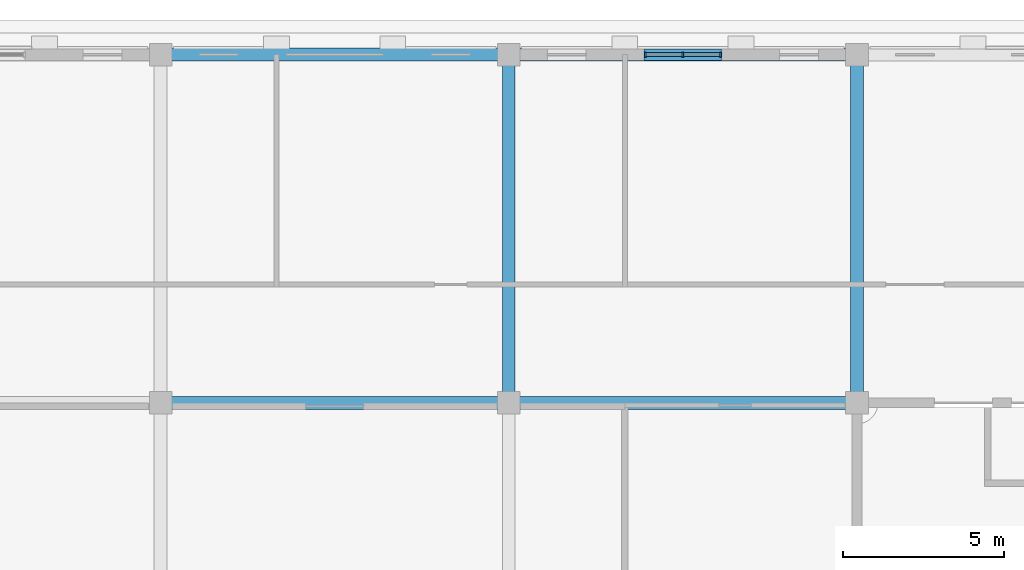
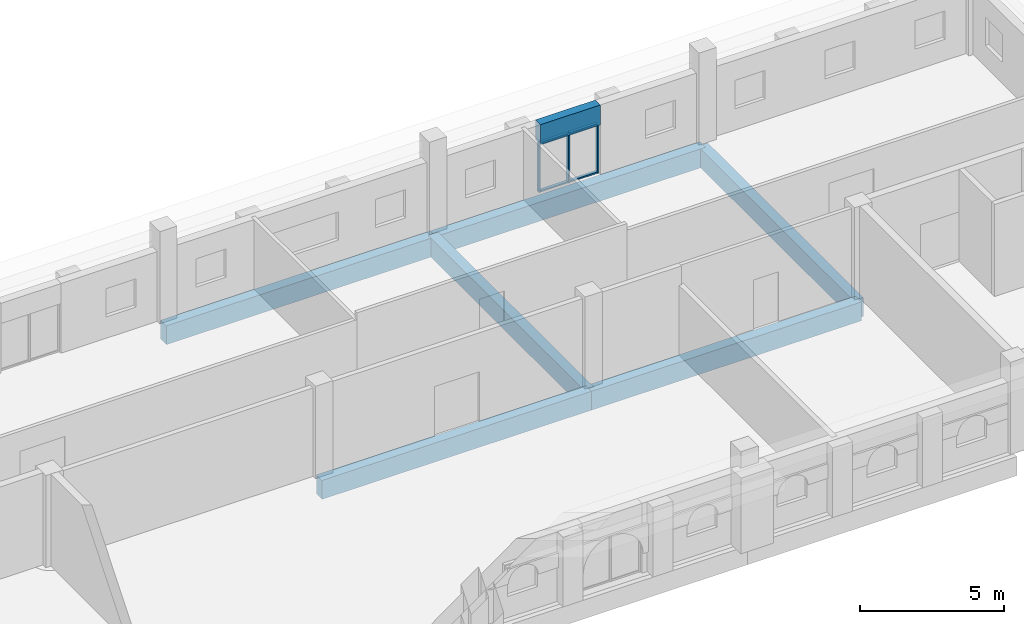
# One storey, part 4 of 10: 7 beams, 7 members, 1 element without a shape of its own.
"""IFC4 building model written with IfcOpenShell, lengths in metres."""

from ifc_helpers import new_model, si_unit, direction, frame, origin, origin_2d, place, context, subcontext, project, spatial, rectangle, extrude, material, layer, layer_set, material_profile, profile_set, type_object, element, aggregate, save


model = new_model("IFC4")

# Units and contexts
model_context = context("Model", 3, precision=1e-05, world=origin(), true_north=direction((0.0, 1.0)))
body_context = subcontext(model_context, "Body", "Model", "MODEL_VIEW")
ifc_project = project(units=[si_unit("LENGTHUNIT", "METRE"), si_unit("AREAUNIT", "SQUARE_METRE"), si_unit("VOLUMEUNIT", "CUBIC_METRE"), si_unit("PLANEANGLEUNIT", "RADIAN"), si_unit("MASSUNIT", "GRAM", prefix="KILO")], contexts=[model_context])

# Site, building, storey
site_placement = place(None, origin())
site = spatial("IfcSite", under=ifc_project, at=site_placement, CompositionType="ELEMENT")
building_placement = place(site_placement, origin())
building = spatial("IfcBuilding", under=site, at=building_placement, Name="Magnolia Steps Interchange", CompositionType="ELEMENT")
storey_placement = place(building_placement, frame((0.0, 0.0, 24.300048828125)))
storey = spatial("IfcBuildingStorey", under=building, at=storey_placement, Name="L06", CompositionType="ELEMENT", Elevation=24.300048828125)

# Curtain wall, members
ifc_material_1 = material(Name="Powder-coated aluminium and glass", Category="aluminium")
ifc_layer = layer(ifc_material_1, 0.199951171875)
ifc_layer_set = layer_set([ifc_layer], Name="Glazed central bay curtain wall")
curtain_wall_type = type_object("IfcCurtainWallType", Name="Glazed central bay curtain wall", PredefinedType="NOTDEFINED", material=ifc_layer_set)
curtain_wall_placement = place(storey_placement, origin())
curtain_wall = element("IfcCurtainWall", 1, at=curtain_wall_placement, inside=storey, type_object=curtain_wall_type, Name="Operations building north wall L06 glazing 4", PredefinedType="NOTDEFINED")
ifc_material_2 = material(Name="White powder-coated aluminium", Category="aluminium")
ifc_material_profile_1 = material_profile(ifc_material_2, rectangle(XDim=0.06005859375, YDim=0.14990234375, at=origin_2d()), Name="Aluminium mullion 60 x 150")
ifc_profile_set_1 = profile_set([ifc_material_profile_1], Name="White powder-coated aluminium")
member_type_1 = type_object("IfcMemberType", Name="Aluminium mullion 60 x 150", PredefinedType="MULLION", material=ifc_profile_set_1)
member_1_placement = place(storey_placement, frame((100.6298828125, 118.0, 0.0), z_axis=(0.0, 0.0, 1.0), x_axis=(1.0, 0.0, 0.0)))
member_1 = element("IfcMember", 2, at=member_1_placement, type_object=member_type_1, Name="CW2 mullion 1", PredefinedType="MULLION", context=body_context, shape_type="SweptSolid", body=[
    extrude(rectangle(XDim=0.06005859375, YDim=0.14990234375, at=origin_2d()), origin(), (0.0, 0.0, 1.0), 2.099853515625),
])
member_2_placement = place(storey_placement, frame((101.800048828125, 118.0, 0.0), z_axis=(0.0, 0.0, 1.0), x_axis=(1.0, 0.0, 0.0)))
member_2 = element("IfcMember", 3, at=member_2_placement, type_object=member_type_1, Name="CW2 mullion 2", PredefinedType="MULLION", context=body_context, shape_type="SweptSolid", body=[
    extrude(rectangle(XDim=0.06005859375, YDim=0.14990234375, at=origin_2d()), origin(), (0.0, 0.0, 1.0), 2.099853515625),
])
member_3_placement = place(storey_placement, frame((102.969970703125, 118.0, 0.0), z_axis=(0.0, 0.0, 1.0), x_axis=(1.0, 0.0, 0.0)))
member_3 = element("IfcMember", 4, at=member_3_placement, type_object=member_type_1, Name="CW2 mullion 3", PredefinedType="MULLION", context=body_context, shape_type="SweptSolid", body=[
    extrude(rectangle(XDim=0.06005859375, YDim=0.14990234375, at=origin_2d()), origin(), (0.0, 0.0, 1.0), 2.099853515625),
])
ifc_material_3 = material(Name="White powder-coated aluminium", Category="aluminium")
ifc_material_profile_2 = material_profile(ifc_material_3, rectangle(XDim=0.06005859375, YDim=0.1201171875, at=origin_2d()), Name="Aluminium transom 60 x 120")
ifc_profile_set_2 = profile_set([ifc_material_profile_2], Name="White powder-coated aluminium")
member_type_2 = type_object("IfcMemberType", Name="Aluminium transom 60 x 120", PredefinedType="USERDEFINED", material=ifc_profile_set_2)
member_4_placement = place(storey_placement, frame((100.659912109375, 118.0, 0.030029296875), z_axis=(1.0, 0.0, 0.0), x_axis=(0.0, 0.0, 1.0)))
member_4 = element("IfcMember", 5, at=member_4_placement, type_object=member_type_2, Name="CW2 transom 1.1", ObjectType="TRANSOM", PredefinedType="USERDEFINED", context=body_context, shape_type="SweptSolid", body=[
    extrude(rectangle(XDim=0.06005859375, YDim=0.1201171875, at=origin_2d()), origin(), (0.0, 0.0, 1.0), 1.110107421875),
])
member_5_placement = place(storey_placement, frame((100.659912109375, 118.0, 2.070068359375), z_axis=(1.0, 0.0, 0.0), x_axis=(0.0, 0.0, 1.0)))
member_5 = element("IfcMember", 6, at=member_5_placement, type_object=member_type_2, Name="CW2 transom 1.2", ObjectType="TRANSOM", PredefinedType="USERDEFINED", context=body_context, shape_type="SweptSolid", body=[
    extrude(rectangle(XDim=0.06005859375, YDim=0.1201171875, at=origin_2d()), origin(), (0.0, 0.0, 1.0), 1.110107421875),
])
member_6_placement = place(storey_placement, frame((101.830078125, 118.0, 0.030029296875), z_axis=(1.0, 0.0, 0.0), x_axis=(0.0, 0.0, 1.0)))
member_6 = element("IfcMember", 7, at=member_6_placement, type_object=member_type_2, Name="CW2 transom 2.1", ObjectType="TRANSOM", PredefinedType="USERDEFINED", context=body_context, shape_type="SweptSolid", body=[
    extrude(rectangle(XDim=0.06005859375, YDim=0.1201171875, at=origin_2d()), origin(), (0.0, 0.0, 1.0), 1.10986328125),
])
member_7_placement = place(storey_placement, frame((101.830078125, 118.0, 2.070068359375), z_axis=(1.0, 0.0, 0.0), x_axis=(0.0, 0.0, 1.0)))
member_7 = element("IfcMember", 8, at=member_7_placement, type_object=member_type_2, Name="CW2 transom 2.2", ObjectType="TRANSOM", PredefinedType="USERDEFINED", context=body_context, shape_type="SweptSolid", body=[
    extrude(rectangle(XDim=0.06005859375, YDim=0.1201171875, at=origin_2d()), origin(), (0.0, 0.0, 1.0), 1.10986328125),
])
aggregate(curtain_wall, [member_1, member_2, member_3, member_4, member_5, member_6, member_7])

# Beams
ifc_material_4 = material(Name="Concrete C40", Category="concrete")
ifc_material_profile_3 = material_profile(ifc_material_4, rectangle(XDim=0.35009765625, YDim=0.85009765625, at=origin_2d()), Name="RC350x850")
ifc_profile_set_3 = profile_set([ifc_material_profile_3], Name="Concrete C40")
beam_type_1 = type_object("IfcBeamType", Name="Lime render lintel 350x850", PredefinedType="LINTEL", material=ifc_profile_set_3)
beam_1_placement = place(storey_placement, frame((100.60009765625, 118.0, 2.52490234375), z_axis=(1.0, 0.0, 0.0), x_axis=(0.0, 1.0, 0.0)))
element("IfcBeam", 9, at=beam_1_placement, inside=storey, type_object=beam_type_1, Name="Operations building north wall L06 lintel 4", PredefinedType="LINTEL", context=body_context, shape_type="SweptSolid", body=[
    extrude(rectangle(XDim=0.35009765625, YDim=0.85009765625, at=origin_2d()), origin(), (0.0, 0.0, 1.0), 2.39990234375),
])
ifc_material_5 = material(Name="Concrete C40", Category="concrete")
ifc_material_profile_4 = material_profile(ifc_material_5, rectangle(XDim=0.39990234375, YDim=0.800048828125, at=origin_2d()), Name="RC400x800")
ifc_profile_set_4 = profile_set([ifc_material_profile_4], Name="Concrete C40")
beam_type_2 = type_object("IfcBeamType", Name="RC beam 400x800", PredefinedType="BEAM", material=ifc_profile_set_4)
beam_2_placement = place(storey_placement, frame((85.60009765625, 107.199951171875, -0.699951171875), z_axis=(1.0, 0.0, 0.0), x_axis=(0.0, 1.0, 0.0)))
element("IfcBeam", 10, at=beam_2_placement, inside=storey, type_object=beam_type_2, Name="Beam L06 J 8-9", PredefinedType="BEAM", context=body_context, shape_type="SweptSolid", body=[
    extrude(rectangle(XDim=0.39990234375, YDim=0.800048828125, at=origin_2d()), origin(), (0.0, 0.0, 1.0), 10.7998046875),
])
beam_3_placement = place(storey_placement, frame((96.39990234375, 107.199951171875, -0.699951171875), z_axis=(1.0, 0.0, 0.0), x_axis=(0.0, 1.0, 0.0)))
element("IfcBeam", 11, at=beam_3_placement, inside=storey, type_object=beam_type_2, Name="Beam L06 J 9-10", PredefinedType="BEAM", context=body_context, shape_type="SweptSolid", body=[
    extrude(rectangle(XDim=0.39990234375, YDim=0.800048828125, at=origin_2d()), origin(), (0.0, 0.0, 1.0), 10.800048828125),
])
beam_4_placement = place(storey_placement, frame((85.60009765625, 118.0, -0.699951171875), z_axis=(1.0, 0.0, 0.0), x_axis=(0.0, 1.0, 0.0)))
element("IfcBeam", 12, at=beam_4_placement, inside=storey, type_object=beam_type_2, Name="Beam L06 K 8-9", PredefinedType="BEAM", context=body_context, shape_type="SweptSolid", body=[
    extrude(rectangle(XDim=0.39990234375, YDim=0.800048828125, at=origin_2d()), origin(), (0.0, 0.0, 1.0), 10.7998046875),
])
for number, where, z_axis, x_axis, name in (
    (13, (96.39990234375, 118.0, -0.699951171875), (1.0, 0.0, 0.0), (0.0, 1.0, 0.0), "Beam L06 K 9-10"),
    (14, (107.199951171875, 107.199951171875, -0.699951171875), (0.0, 1.0, 0.0), (-1.0, 0.0, 0.0), "Beam L06 10 J-K"),
    (15, (96.39990234375, 107.199951171875, -0.699951171875), (0.0, 1.0, 0.0), (-1.0, 0.0, 0.0), "Beam L06 9 J-K"),
):
    element("IfcBeam", number, at=place(storey_placement, frame(where, z_axis=z_axis, x_axis=x_axis)), inside=storey, type_object=beam_type_2, Name=name, PredefinedType="BEAM", context=body_context, shape_type="SweptSolid", body=[
        extrude(rectangle(XDim=0.39990234375, YDim=0.800048828125, at=origin_2d()), origin(), (0.0, 0.0, 1.0), 10.800048828125),
    ])

save(model, "model.ifc")
